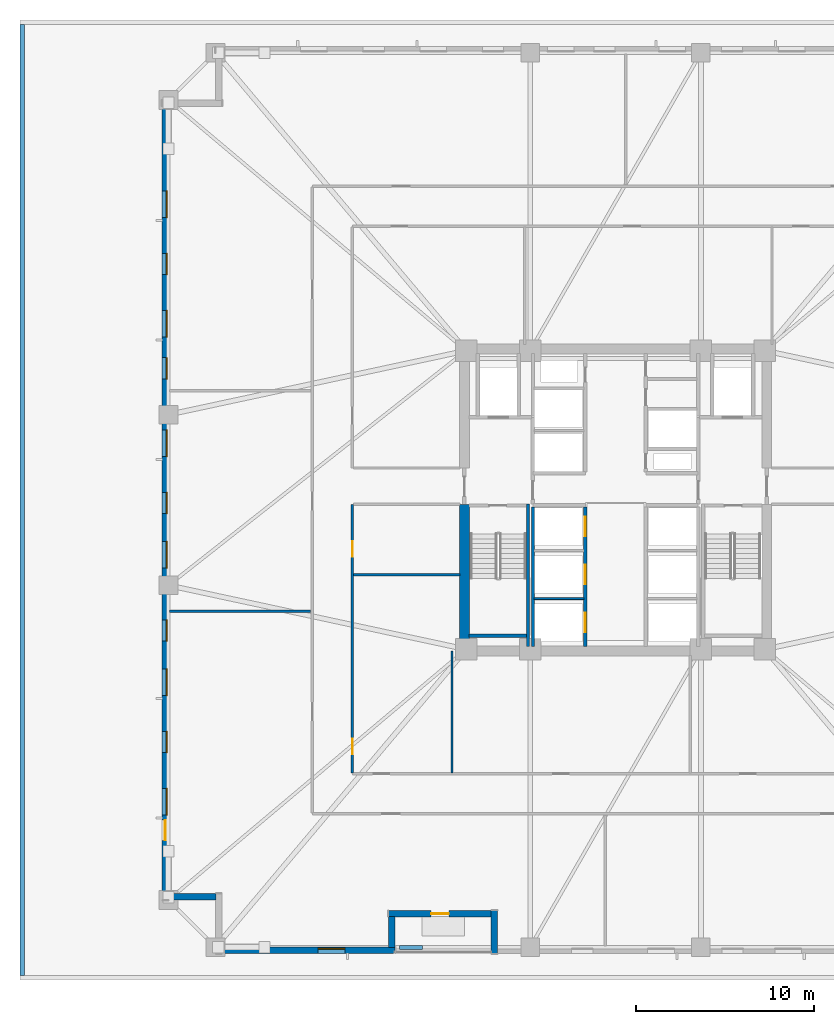
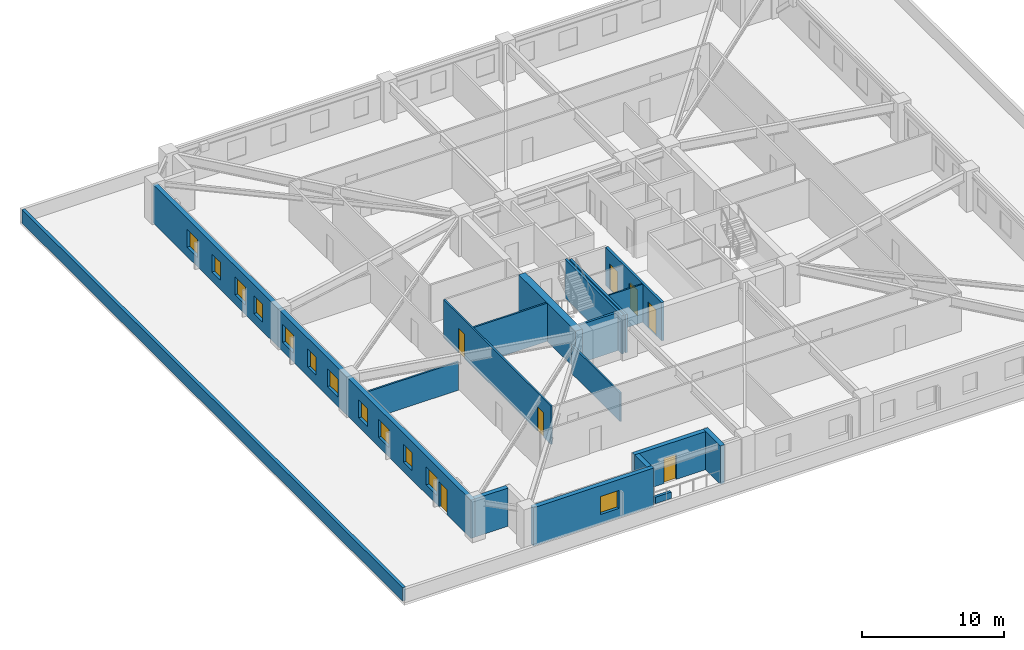
# One storey, part 2 of 12: 18 walls, 12 windows, 7 doors, 19 openings.
"""IFC4 building model written with IfcOpenShell, lengths in metres."""

from ifc_helpers import new_model, si_unit, direction, frame, frame_2d, origin, place, context, subcontext, project, spatial, rectangle, extrude, material, layer, layer_set, type_object, element, fill, save


model = new_model("IFC4")

# Units and contexts
model_context = context("Model", 3, precision=1e-05, world=origin(), true_north=direction((0.0, 1.0)))
body_context = subcontext(model_context, "Body", "Model", "MODEL_VIEW")
ifc_project = project(units=[si_unit("LENGTHUNIT", "METRE"), si_unit("AREAUNIT", "SQUARE_METRE"), si_unit("VOLUMEUNIT", "CUBIC_METRE"), si_unit("PLANEANGLEUNIT", "RADIAN"), si_unit("MASSUNIT", "GRAM", prefix="KILO")], contexts=[model_context])

# Site, building, storey
site_placement = place(None, origin())
site = spatial("IfcSite", under=ifc_project, at=site_placement, CompositionType="ELEMENT")
building_placement = place(site_placement, origin())
building = spatial("IfcBuilding", under=site, at=building_placement, Name="Cairnveth Concourse Tower", CompositionType="ELEMENT")
storey_placement = place(building_placement, frame((0.0, 0.0, 23.5)))
storey = spatial("IfcBuildingStorey", under=building, at=storey_placement, Name="L05", CompositionType="ELEMENT", Elevation=23.5)

# Walls
ifc_material_1 = material(Name="Concrete N80 (80 MPa)", Category="concrete")
ifc_layer_1 = layer(ifc_material_1, 0.550048828125)
ifc_layer_set_1 = layer_set([ifc_layer_1], Name="Concrete N80 (80 MPa)")
wall_type_1 = type_object("IfcWallType", Name="CORE SHEAR WALL 550", PredefinedType="SHEAR", material=ifc_layer_set_1)
wall_1_placement = place(storey_placement, frame((43.5, 30.764892578125, 0.0), z_axis=(0.0, 0.0, 1.0), x_axis=(0.0, 1.0, 0.0)))
element("IfcWall", 1, at=wall_1_placement, inside=storey, type_object=wall_type_1, Name="Core West Shear Wall S L05", PredefinedType="SHEAR", context=body_context, shape_type="SweptSolid", body=[
    extrude(rectangle(XDim=7.985107421875, YDim=0.550048828125, at=frame_2d((3.99267578125, 0.0))), origin(), (0.0, 0.0, 1.0), 3.280029296875),
])
ifc_material_2 = material(Name="Concrete N50 (50 MPa)", Category="concrete")
ifc_layer_2 = layer(ifc_material_2, 0.179931640625)
ifc_layer_set_2 = layer_set([ifc_layer_2], Name="Concrete N50 (50 MPa)")
wall_type_2 = type_object("IfcWallType", Name="FIRE SHAFT WALL 180", PredefinedType="SOLIDWALL", material=ifc_layer_set_2)
wall_2_placement = place(storey_placement, frame((47.35009765625, 30.760009765625, 0.0), z_axis=(0.0, 0.0, 1.0), x_axis=(0.0, 1.0, 0.0)))
element("IfcWall", 2, at=wall_2_placement, inside=storey, type_object=wall_type_2, Name="Interior Wall IW-L05-025", PredefinedType="SOLIDWALL", context=body_context, shape_type="SweptSolid", body=[
    extrude(rectangle(XDim=7.85498046875, YDim=0.179931640625, at=frame_2d((3.927490234375, 0.0))), origin(), (0.0, 0.0, 1.0), 3.280029296875),
])
wall_3_placement = place(storey_placement, frame((43.764892578125, 31.360107421875, 0.0), z_axis=(0.0, 0.0, 1.0), x_axis=(1.0, 0.0, 0.0)))
element("IfcWall", 3, at=wall_3_placement, inside=storey, type_object=wall_type_2, Name="Stair ST-1 Shaft Wall FAR L05", PredefinedType="SOLIDWALL", context=body_context, shape_type="SweptSolid", body=[
    extrude(rectangle(XDim=3.230224609375, YDim=0.179931640625, at=frame_2d((1.615234375, 0.0))), origin(), (0.0, 0.0, 1.0), 3.280029296875),
])
wall_4_placement = place(storey_placement, frame((47.070068359375, 38.780029296875, 0.0), z_axis=(0.0, 0.0, 1.0), x_axis=(0.0, -1.0, 0.0)))
element("IfcWall", 4, at=wall_4_placement, inside=storey, type_object=wall_type_2, Name="Stair ST-1 Shaft Wall RGHT L05", PredefinedType="SOLIDWALL", context=body_context, shape_type="SweptSolid", body=[
    extrude(rectangle(XDim=8.01708984375, YDim=0.179931640625, at=frame_2d((4.008544921875, 0.0))), origin(), (0.0, 0.0, 1.0), 3.280029296875),
])

# Wall, openings, doors
ifc_layer_3 = layer(ifc_material_2, 0.199951171875)
ifc_layer_set_3 = layer_set([ifc_layer_3], Name="Concrete N50 (50 MPa)")
wall_type_3 = type_object("IfcWallType", Name="FIRE SHAFT WALL 200", PredefinedType="SOLIDWALL", material=ifc_layer_set_3)
wall_5_placement = place(storey_placement, frame((50.300048828125, 30.760009765625, 0.0), z_axis=(0.0, 0.0, 1.0), x_axis=(0.0, 1.0, 0.0)))
wall_5 = element("IfcWall", 5, at=wall_5_placement, inside=storey, type_object=wall_type_3, Name="Interior Wall IW-L05-011", PredefinedType="SOLIDWALL", context=body_context, shape_type="SweptSolid", body=[
    extrude(rectangle(XDim=7.85498046875, YDim=0.199951171875, at=frame_2d((3.927490234375, 0.0))), origin(), (0.0, 0.0, 1.0), 3.280029296875),
])
opening_1_placement = place(wall_5_placement, frame((0.7900390625, 0.0, 0.0)))
opening_1 = element("IfcOpeningElement", 6, at=opening_1_placement, cuts=wall_5, Name="Opening LD-1", PredefinedType="OPENING", context=body_context, shape_type="SweptSolid", body=[
    extrude(rectangle(XDim=1.10009765625, YDim=2.199951171875, at=frame_2d((0.550048828125, 1.10009765625))), frame((0.0, 0.10986328125, 0.0), z_axis=(0.0, -1.0, 0.0), x_axis=(1.0, 0.0, 0.0)), (0.0, 0.0, 1.0), 0.219970703125),
])
opening_2_placement = place(wall_5_placement, frame((3.489990234375, 0.0, 0.0)))
opening_2 = element("IfcOpeningElement", 7, at=opening_2_placement, cuts=wall_5, Name="Opening LD-1", PredefinedType="OPENING", context=body_context, shape_type="SweptSolid", body=[
    extrude(rectangle(XDim=1.10009765625, YDim=2.199951171875, at=frame_2d((0.550048828125, 1.10009765625))), frame((0.0, 0.10986328125, 0.0), z_axis=(0.0, -1.0, 0.0), x_axis=(1.0, 0.0, 0.0)), (0.0, 0.0, 1.0), 0.219970703125),
])
opening_3_placement = place(wall_5_placement, frame((6.18994140625, 0.0, 0.0)))
opening_3 = element("IfcOpeningElement", 8, at=opening_3_placement, cuts=wall_5, Name="Opening LD-1", PredefinedType="OPENING", context=body_context, shape_type="SweptSolid", body=[
    extrude(rectangle(XDim=1.10009765625, YDim=2.199951171875, at=frame_2d((0.550048828125, 1.10009765625))), frame((0.0, 0.10986328125, 0.0), z_axis=(0.0, -1.0, 0.0), x_axis=(1.0, 0.0, 0.0)), (0.0, 0.0, 1.0), 0.219970703125),
])
ifc_material_3 = material(Name="Architectural Bronze Anodised Aluminium 6063-T6", Category="aluminium")
door_type_1 = type_object("IfcDoorType", Name="LIFT LANDING DOOR 1100X2200", OperationType="SLIDING_TO_LEFT", PredefinedType="DOOR", material=ifc_material_3)
door_1_placement = place(opening_1_placement, origin())
door_1 = element("IfcDoor", 9, at=door_1_placement, inside=storey, type_object=door_type_1, Name="Lift PL1 Landing Door L05", OperationType="SLIDING_TO_LEFT", OverallHeight=2.199951171875, OverallWidth=1.10009765625, PredefinedType="DOOR", context=body_context, shape_type="SweptSolid", body=[
    extrude(rectangle(XDim=1.10009765625, YDim=2.199951171875, at=frame_2d((0.550048828125, 1.10009765625))), frame((0.0, 0.02490234375, 0.0), z_axis=(0.0, -1.0, 0.0), x_axis=(1.0, 0.0, 0.0)), (0.0, 0.0, 1.0), 0.050048828125),
])
fill(opening_1, door_1)
door_2_placement = place(opening_2_placement, origin())
door_2 = element("IfcDoor", 10, at=door_2_placement, inside=storey, type_object=door_type_1, Name="Lift PL2 Landing Door L05", OperationType="SLIDING_TO_LEFT", OverallHeight=2.199951171875, OverallWidth=1.10009765625, PredefinedType="DOOR", context=body_context, shape_type="SweptSolid", body=[
    extrude(rectangle(XDim=1.10009765625, YDim=2.199951171875, at=frame_2d((0.550048828125, 1.10009765625))), frame((0.0, 0.02490234375, 0.0), z_axis=(0.0, -1.0, 0.0), x_axis=(1.0, 0.0, 0.0)), (0.0, 0.0, 1.0), 0.050048828125),
])
fill(opening_2, door_2)
door_3_placement = place(opening_3_placement, origin())
door_3 = element("IfcDoor", 11, at=door_3_placement, inside=storey, type_object=door_type_1, Name="Lift PL3 Landing Door L05", OperationType="SLIDING_TO_LEFT", OverallHeight=2.199951171875, OverallWidth=1.10009765625, PredefinedType="DOOR", context=body_context, shape_type="SweptSolid", body=[
    extrude(rectangle(XDim=1.10009765625, YDim=2.199951171875, at=frame_2d((0.550048828125, 1.10009765625))), frame((0.0, 0.02490234375, 0.0), z_axis=(0.0, -1.0, 0.0), x_axis=(1.0, 0.0, 0.0)), (0.0, 0.0, 1.0), 0.050048828125),
])
fill(opening_3, door_3)

ifc_material_4 = material(Name="Gypsum Plasterboard Partition", Category="gypsum")
ifc_layer_4 = layer(ifc_material_4, 0.139892578125)
ifc_layer_set_4 = layer_set([ifc_layer_4], Name="Gypsum Plasterboard Partition")
wall_type_4 = type_object("IfcWallType", Name="GYPSUM STUD PARTITION 140", PredefinedType="PARTITIONING", material=ifc_layer_set_4)
wall_6_placement = place(storey_placement, frame((37.199951171875, 23.655029296875, 0.0), z_axis=(0.0, 0.0, 1.0), x_axis=(0.0, 1.0, 0.0)))
wall_6 = element("IfcWall", 12, at=wall_6_placement, inside=storey, type_object=wall_type_4, Name="Interior Wall IW-L05-044", PredefinedType="PARTITIONING", context=body_context, shape_type="SweptSolid", body=[
    extrude(rectangle(XDim=15.094970703125, YDim=0.139892578125, at=frame_2d((7.54736328125, 0.0))), origin(), (0.0, 0.0, 1.0), 3.280029296875),
])
opening_4_placement = place(wall_6_placement, frame((1.044921875, 0.0, 0.0)))
opening_4 = element("IfcOpeningElement", 13, at=opening_4_placement, cuts=wall_6, Name="Opening ID18", PredefinedType="OPENING", context=body_context, shape_type="SweptSolid", body=[
    extrude(rectangle(XDim=0.8798828125, YDim=2.10009765625, at=frame_2d((0.43994140625, 1.050048828125))), frame((0.0, 0.079833984375, 0.0), z_axis=(0.0, -1.0, 0.0), x_axis=(1.0, 0.0, 0.0)), (0.0, 0.0, 1.0), 0.159912109375),
])
opening_5_placement = place(wall_6_placement, frame((12.14501953125, 0.0, 0.0)))
opening_5 = element("IfcOpeningElement", 14, at=opening_5_placement, cuts=wall_6, Name="Opening ID18", PredefinedType="OPENING", context=body_context, shape_type="SweptSolid", body=[
    extrude(rectangle(XDim=0.8798828125, YDim=2.10009765625, at=frame_2d((0.43994140625, 1.050048828125))), frame((0.0, 0.079833984375, 0.0), z_axis=(0.0, -1.0, 0.0), x_axis=(1.0, 0.0, 0.0)), (0.0, 0.0, 1.0), 0.159912109375),
])
ifc_material_5 = material(Name="Solid Core Hardwood Timber Leaf", Category="wood")
door_type_2 = type_object("IfcDoorType", Name="INTERIOR SINGLE DOOR 880X2100", OperationType="NOTDEFINED", PredefinedType="DOOR", material=ifc_material_5)
door_4_placement = place(opening_4_placement, origin())
door_4 = element("IfcDoor", 15, at=door_4_placement, inside=storey, type_object=door_type_2, Name="Interior Door DR-L05-020", OperationType="SINGLE_SWING_RIGHT", OverallHeight=2.10009765625, OverallWidth=0.8798828125, PredefinedType="DOOR", context=body_context, shape_type="SweptSolid", body=[
    extrude(rectangle(XDim=0.8798828125, YDim=2.10009765625, at=frame_2d((0.43994140625, 1.050048828125))), frame((0.0, 0.02490234375, 0.0), z_axis=(0.0, -1.0, 0.0), x_axis=(1.0, 0.0, 0.0)), (0.0, 0.0, 1.0), 0.050048828125),
])
fill(opening_4, door_4)
door_5_placement = place(opening_5_placement, origin())
door_5 = element("IfcDoor", 16, at=door_5_placement, inside=storey, type_object=door_type_2, Name="Interior Door DR-L05-021", OperationType="SINGLE_SWING_LEFT", OverallHeight=2.10009765625, OverallWidth=0.8798828125, PredefinedType="DOOR", context=body_context, shape_type="SweptSolid", body=[
    extrude(rectangle(XDim=0.8798828125, YDim=2.10009765625, at=frame_2d((0.43994140625, 1.050048828125))), frame((0.0, 0.02490234375, 0.0), z_axis=(0.0, -1.0, 0.0), x_axis=(1.0, 0.0, 0.0)), (0.0, 0.0, 1.0), 0.050048828125),
])
fill(opening_5, door_5)

# Walls
wall_7_placement = place(storey_placement, frame((42.800048828125, 23.655029296875, 0.0), z_axis=(0.0, 0.0, 1.0), x_axis=(0.0, 1.0, 0.0)))
element("IfcWall", 17, at=wall_7_placement, inside=storey, type_object=wall_type_4, Name="Interior Wall IW-L05-052", PredefinedType="PARTITIONING", context=body_context, shape_type="SweptSolid", body=[
    extrude(rectangle(XDim=6.844970703125, YDim=0.139892578125, at=frame_2d((3.42236328125, 0.0))), origin(), (0.0, 0.0, 1.0), 2.43896484375),
])
wall_8_placement = place(storey_placement, frame((37.2548828125, 34.800048828125, 0.0), z_axis=(0.0, 0.0, 1.0), x_axis=(1.0, 0.0, 0.0)))
element("IfcWall", 18, at=wall_8_placement, inside=storey, type_object=wall_type_4, Name="Interior Wall IW-L05-056", PredefinedType="PARTITIONING", context=body_context, shape_type="SweptSolid", body=[
    extrude(rectangle(XDim=5.985107421875, YDim=0.139892578125, at=frame_2d((2.99267578125, 0.0))), origin(), (0.0, 0.0, 1.0), 3.280029296875),
])
wall_9_placement = place(storey_placement, frame((26.919921875, 32.740478515625, 0.0), z_axis=(0.0, 0.0, 1.0), x_axis=(1.0, 0.0, 0.0)))
element("IfcWall", 19, at=wall_9_placement, inside=storey, type_object=wall_type_4, Name="Interior Wall IW-L05-059", PredefinedType="PARTITIONING", context=body_context, shape_type="SweptSolid", body=[
    extrude(rectangle(XDim=7.93017578125, YDim=0.139892578125, at=frame_2d((3.965087890625, 0.0))), origin(), (0.0, 0.0, 1.0), 2.43896484375),
])
ifc_material_6 = material(Name="Hawthorn Red-Ochre Fired Clay Brick Masonry", Category="masonry")
ifc_layer_5 = layer(ifc_material_6, 0.25)
ifc_layer_set_5 = layer_set([ifc_layer_5], Name="Hawthorn Red-Ochre Fired Clay Brick Masonry")
wall_type_5 = type_object("IfcWallType", Name="ROOF MASONRY PARAPET WALL 250", PredefinedType="PARAPET", material=ifc_layer_set_5)
wall_10_placement = place(storey_placement, frame((18.6298828125, 12.25, 0.0), z_axis=(0.0, 0.0, 1.0), x_axis=(0.0, 1.0, 0.0)))
element("IfcWall", 20, at=wall_10_placement, inside=storey, type_object=wall_type_5, Name="Exterior Wall EP-L05-POD-W", PredefinedType="PARAPET", context=body_context, shape_type="SweptSolid", body=[
    extrude(rectangle(XDim=53.5, YDim=0.25, at=frame_2d((26.75, 0.0))), origin(), (0.0, 0.0, 1.0), 1.14990234375),
])
ifc_layer_6 = layer(ifc_material_4, 0.110107421875)
ifc_layer_set_6 = layer_set([ifc_layer_6], Name="Gypsum Plasterboard Partition")
wall_type_6 = type_object("IfcWallType", Name="SHAFT DIVIDER WALL 140", PredefinedType="PARTITIONING", material=ifc_layer_set_6)
wall_11_placement = place(storey_placement, frame((47.425048828125, 33.449951171875, 0.0), z_axis=(0.0, 0.0, 1.0), x_axis=(1.0, 0.0, 0.0)))
element("IfcWall", 21, at=wall_11_placement, inside=storey, type_object=wall_type_6, Name="Interior Wall IW-L05-026", PredefinedType="PARTITIONING", context=body_context, shape_type="SweptSolid", body=[
    extrude(rectangle(XDim=2.7900390625, YDim=0.110107421875, at=frame_2d((1.39501953125, 0.0))), origin(), (0.0, 0.0, 1.0), 3.280029296875),
])
ifc_material_7 = material(Name="Dressed Melbourne Bluestone Cladding", Category="masonry")
ifc_layer_7 = layer(ifc_material_7, 0.219970703125)
ifc_layer_set_7 = layer_set([ifc_layer_7], Name="Dressed Melbourne Bluestone Cladding")
wall_type_7 = type_object("IfcWallType", Name="TERRACE PLANTER CURB WALL 220", PredefinedType="PARAPET", material=ifc_layer_set_7)
wall_12_placement = place(storey_placement, frame((39.85009765625, 13.820068359375, 0.0), z_axis=(0.0, 0.0, 1.0), x_axis=(1.0, 0.0, 0.0)))
element("IfcWall", 22, at=wall_12_placement, inside=storey, type_object=wall_type_7, Name="Exterior Wall PLNT-L05-TERR", PredefinedType="PARAPET", context=body_context, shape_type="SweptSolid", body=[
    extrude(rectangle(XDim=1.2998046875, YDim=0.219970703125, at=frame_2d((0.64990234375, 0.0))), origin(), (0.0, 0.0, 1.0), 0.550048828125),
])

# Wall, opening, window
ifc_layer_8 = layer(ifc_material_6, 0.360107421875)
ifc_layer_set_8 = layer_set([ifc_layer_8], Name="Hawthorn Red-Ochre Fired Clay Brick Masonry")
wall_type_8 = type_object("IfcWallType", Name="ZONE 1 BRICK PIER SPANDREL WALL 360", PredefinedType="SOLIDWALL", material=ifc_layer_set_8)
wall_13_placement = place(storey_placement, frame((39.60009765625, 13.679931640625, 0.0), z_axis=(0.0, 0.0, 1.0), x_axis=(-1.0, 0.0, 0.0)))
wall_13 = element("IfcWall", 23, at=wall_13_placement, inside=storey, type_object=wall_type_8, Name="Exterior Wall EW-L05-S00", PredefinedType="SOLIDWALL", context=body_context, shape_type="SweptSolid", body=[
    extrude(rectangle(XDim=9.76220703125, YDim=0.360107421875, at=frame_2d((4.881103515625, 0.0))), origin(), (0.0, 0.0, 1.0), 3.280029296875),
])
opening_6_placement = place(wall_13_placement, frame((2.8310546875, 0.0, 0.800048828125)))
opening_6 = element("IfcOpeningElement", 24, at=opening_6_placement, cuts=wall_13, Name="Opening W03", PredefinedType="OPENING", context=body_context, shape_type="SweptSolid", body=[
    extrude(rectangle(XDim=1.5, YDim=1.5439453125, at=frame_2d((0.75, 0.77197265625))), frame((0.0, 0.18994140625, 0.0), z_axis=(0.0, -1.0, 0.0), x_axis=(1.0, 0.0, 0.0)), (0.0, 0.0, 1.0), 0.380126953125),
])
ifc_material_8 = material(Name="Double Glazed Low-E Clear Glass", Category="glass")
window_type_1 = type_object("IfcWindowType", Name="DEEP-SET GOTHIC LANCET WINDOW 1500X1800", PartitioningType="DOUBLE_PANEL_VERTICAL", PredefinedType="WINDOW", material=ifc_material_8)
window_1_placement = place(opening_6_placement, origin())
window_1 = element("IfcWindow", 25, at=window_1_placement, inside=storey, type_object=window_type_1, Name="Gothic Lancet Window L05-0-1", OverallHeight=1.5439453125, OverallWidth=1.5, PartitioningType="SINGLE_PANEL", PredefinedType="WINDOW", context=body_context, shape_type="SweptSolid", body=[
    extrude(rectangle(XDim=1.5, YDim=1.5439453125, at=frame_2d((0.75, 0.77197265625))), frame((0.0, -0.050048828125, 0.0), z_axis=(0.0, -1.0, 0.0), x_axis=(1.0, 0.0, 0.0)), (0.0, 0.0, 1.0), 0.06005859375),
])
fill(opening_6, window_1)

# Wall
wall_14_placement = place(storey_placement, frame((29.52197265625, 16.679931640625, 0.0), z_axis=(0.0, 0.0, 1.0), x_axis=(-1.0, 0.0, 0.0)))
element("IfcWall", 26, at=wall_14_placement, inside=storey, type_object=wall_type_8, Name="Exterior Wall EW-L05-S02", PredefinedType="SOLIDWALL", context=body_context, shape_type="SweptSolid", body=[
    extrude(rectangle(XDim=2.68408203125, YDim=0.360107421875, at=frame_2d((1.342041015625, 0.0))), origin(), (0.0, 0.0, 1.0), 3.280029296875),
])

# Wall, openings, windows, door
wall_15_placement = place(storey_placement, frame((26.679931640625, 16.5, 0.0), z_axis=(0.0, 0.0, 1.0), x_axis=(0.0, 1.0, 0.0)))
wall_15 = element("IfcWall", 27, at=wall_15_placement, inside=storey, type_object=wall_type_8, Name="Exterior Wall EW-L05-S03", PredefinedType="SOLIDWALL", context=body_context, shape_type="SweptSolid", body=[
    extrude(rectangle(XDim=44.662109375, YDim=0.360107421875, at=frame_2d((22.3310546875, 0.0))), origin(), (0.0, 0.0, 1.0), 3.280029296875),
])
opening_7_placement = place(wall_15_placement, frame((4.780029296875, 0.0, 0.800048828125)))
opening_7 = element("IfcOpeningElement", 28, at=opening_7_placement, cuts=wall_15, Name="Opening W03", PredefinedType="OPENING", context=body_context, shape_type="SweptSolid", body=[
    extrude(rectangle(XDim=1.5, YDim=1.5439453125, at=frame_2d((0.75, 0.77197265625))), frame((0.0, 0.18994140625, 0.0), z_axis=(0.0, -1.0, 0.0), x_axis=(1.0, 0.0, 0.0)), (0.0, 0.0, 1.0), 0.380126953125),
])
opening_8_placement = place(wall_15_placement, frame((8.290283203125, 0.0, 0.800048828125)))
opening_8 = element("IfcOpeningElement", 29, at=opening_8_placement, cuts=wall_15, Name="Opening W01", PredefinedType="OPENING", context=body_context, shape_type="SweptSolid", body=[
    extrude(rectangle(XDim=1.199951171875, YDim=1.5439453125, at=frame_2d((0.60009765625, 0.77197265625))), frame((0.0, 0.18994140625, 0.0), z_axis=(0.0, -1.0, 0.0), x_axis=(1.0, 0.0, 0.0)), (0.0, 0.0, 1.0), 0.380126953125),
])
opening_9_placement = place(wall_15_placement, frame((11.50048828125, 0.0, 0.800048828125)))
opening_9 = element("IfcOpeningElement", 30, at=opening_9_placement, cuts=wall_15, Name="Opening W03", PredefinedType="OPENING", context=body_context, shape_type="SweptSolid", body=[
    extrude(rectangle(XDim=1.5, YDim=1.5439453125, at=frame_2d((0.75, 0.77197265625))), frame((0.0, 0.18994140625, 0.0), z_axis=(0.0, -1.0, 0.0), x_axis=(1.0, 0.0, 0.0)), (0.0, 0.0, 1.0), 0.380126953125),
])
opening_10_placement = place(wall_15_placement, frame((14.560546875, 0.0, 0.800048828125)))
opening_10 = element("IfcOpeningElement", 31, at=opening_10_placement, cuts=wall_15, Name="Opening W01", PredefinedType="OPENING", context=body_context, shape_type="SweptSolid", body=[
    extrude(rectangle(XDim=1.199951171875, YDim=1.5439453125, at=frame_2d((0.60009765625, 0.77197265625))), frame((0.0, 0.18994140625, 0.0), z_axis=(0.0, -1.0, 0.0), x_axis=(1.0, 0.0, 0.0)), (0.0, 0.0, 1.0), 0.380126953125),
])
opening_11_placement = place(wall_15_placement, frame((18.6708984375, 0.0, 0.800048828125)))
opening_11 = element("IfcOpeningElement", 32, at=opening_11_placement, cuts=wall_15, Name="Opening W03", PredefinedType="OPENING", context=body_context, shape_type="SweptSolid", body=[
    extrude(rectangle(XDim=1.5, YDim=1.5439453125, at=frame_2d((0.75, 0.77197265625))), frame((0.0, 0.18994140625, 0.0), z_axis=(0.0, -1.0, 0.0), x_axis=(1.0, 0.0, 0.0)), (0.0, 0.0, 1.0), 0.380126953125),
])
opening_12_placement = place(wall_15_placement, frame((21.73095703125, 0.0, 0.800048828125)))
opening_12 = element("IfcOpeningElement", 33, at=opening_12_placement, cuts=wall_15, Name="Opening W01", PredefinedType="OPENING", context=body_context, shape_type="SweptSolid", body=[
    extrude(rectangle(XDim=1.199951171875, YDim=1.5439453125, at=frame_2d((0.60009765625, 0.77197265625))), frame((0.0, 0.18994140625, 0.0), z_axis=(0.0, -1.0, 0.0), x_axis=(1.0, 0.0, 0.0)), (0.0, 0.0, 1.0), 0.380126953125),
])
opening_13_placement = place(wall_15_placement, frame((24.941162109375, 0.0, 0.800048828125)))
opening_13 = element("IfcOpeningElement", 34, at=opening_13_placement, cuts=wall_15, Name="Opening W03", PredefinedType="OPENING", context=body_context, shape_type="SweptSolid", body=[
    extrude(rectangle(XDim=1.5, YDim=1.5439453125, at=frame_2d((0.75, 0.77197265625))), frame((0.0, 0.18994140625, 0.0), z_axis=(0.0, -1.0, 0.0), x_axis=(1.0, 0.0, 0.0)), (0.0, 0.0, 1.0), 0.380126953125),
])
opening_14_placement = place(wall_15_placement, frame((29.301513671875, 0.0, 0.800048828125)))
opening_14 = element("IfcOpeningElement", 35, at=opening_14_placement, cuts=wall_15, Name="Opening W01", PredefinedType="OPENING", context=body_context, shape_type="SweptSolid", body=[
    extrude(rectangle(XDim=1.199951171875, YDim=1.5439453125, at=frame_2d((0.60009765625, 0.77197265625))), frame((0.0, 0.18994140625, 0.0), z_axis=(0.0, -1.0, 0.0), x_axis=(1.0, 0.0, 0.0)), (0.0, 0.0, 1.0), 0.380126953125),
])
opening_15_placement = place(wall_15_placement, frame((31.66162109375, 0.0, 0.800048828125)))
opening_15 = element("IfcOpeningElement", 36, at=opening_15_placement, cuts=wall_15, Name="Opening W03", PredefinedType="OPENING", context=body_context, shape_type="SweptSolid", body=[
    extrude(rectangle(XDim=1.5, YDim=1.5439453125, at=frame_2d((0.75, 0.77197265625))), frame((0.0, 0.18994140625, 0.0), z_axis=(0.0, -1.0, 0.0), x_axis=(1.0, 0.0, 0.0)), (0.0, 0.0, 1.0), 0.380126953125),
])
opening_16_placement = place(wall_15_placement, frame((35.171630859375, 0.0, 0.800048828125)))
opening_16 = element("IfcOpeningElement", 37, at=opening_16_placement, cuts=wall_15, Name="Opening W01", PredefinedType="OPENING", context=body_context, shape_type="SweptSolid", body=[
    extrude(rectangle(XDim=1.199951171875, YDim=1.5439453125, at=frame_2d((0.60009765625, 0.77197265625))), frame((0.0, 0.18994140625, 0.0), z_axis=(0.0, -1.0, 0.0), x_axis=(1.0, 0.0, 0.0)), (0.0, 0.0, 1.0), 0.380126953125),
])
opening_17_placement = place(wall_15_placement, frame((38.3818359375, 0.0, 0.800048828125)))
opening_17 = element("IfcOpeningElement", 38, at=opening_17_placement, cuts=wall_15, Name="Opening W03", PredefinedType="OPENING", context=body_context, shape_type="SweptSolid", body=[
    extrude(rectangle(XDim=1.5, YDim=1.5439453125, at=frame_2d((0.75, 0.77197265625))), frame((0.0, 0.18994140625, 0.0), z_axis=(0.0, -1.0, 0.0), x_axis=(1.0, 0.0, 0.0)), (0.0, 0.0, 1.0), 0.380126953125),
])
opening_18_placement = place(wall_15_placement, frame((3.35009765625, 0.0, 0.0)))
opening_18 = element("IfcOpeningElement", 39, at=opening_18_placement, cuts=wall_15, Name="Opening ED3", PredefinedType="OPENING", context=body_context, shape_type="SweptSolid", body=[
    extrude(rectangle(XDim=1.14990234375, YDim=2.14990234375, at=frame_2d((0.574951171875, 1.074951171875))), frame((0.0, 0.18994140625, 0.0), z_axis=(0.0, -1.0, 0.0), x_axis=(1.0, 0.0, 0.0)), (0.0, 0.0, 1.0), 0.380126953125),
])
window_type_2 = type_object("IfcWindowType", Name="DEEP-SET GOTHIC LANCET WINDOW 1200X1800", PartitioningType="DOUBLE_PANEL_VERTICAL", PredefinedType="WINDOW", material=ifc_material_8)
window_2_placement = place(opening_8_placement, origin())
window_2 = element("IfcWindow", 40, at=window_2_placement, inside=storey, type_object=window_type_2, Name="Gothic Lancet Window L05-3-2", OverallHeight=1.5439453125, OverallWidth=1.199951171875, PartitioningType="SINGLE_PANEL", PredefinedType="WINDOW", context=body_context, shape_type="SweptSolid", body=[
    extrude(rectangle(XDim=1.199951171875, YDim=1.5439453125, at=frame_2d((0.60009765625, 0.77197265625))), frame((0.0, -0.050048828125, 0.0), z_axis=(0.0, -1.0, 0.0), x_axis=(1.0, 0.0, 0.0)), (0.0, 0.0, 1.0), 0.06005859375),
])
fill(opening_8, window_2)
window_3_placement = place(opening_10_placement, origin())
window_3 = element("IfcWindow", 41, at=window_3_placement, inside=storey, type_object=window_type_2, Name="Gothic Lancet Window L05-3-4", OverallHeight=1.5439453125, OverallWidth=1.199951171875, PartitioningType="SINGLE_PANEL", PredefinedType="WINDOW", context=body_context, shape_type="SweptSolid", body=[
    extrude(rectangle(XDim=1.199951171875, YDim=1.5439453125, at=frame_2d((0.60009765625, 0.77197265625))), frame((0.0, -0.050048828125, 0.0), z_axis=(0.0, -1.0, 0.0), x_axis=(1.0, 0.0, 0.0)), (0.0, 0.0, 1.0), 0.06005859375),
])
fill(opening_10, window_3)
window_4_placement = place(opening_12_placement, origin())
window_4 = element("IfcWindow", 42, at=window_4_placement, inside=storey, type_object=window_type_2, Name="Gothic Lancet Window L05-3-6", OverallHeight=1.5439453125, OverallWidth=1.199951171875, PartitioningType="SINGLE_PANEL", PredefinedType="WINDOW", context=body_context, shape_type="SweptSolid", body=[
    extrude(rectangle(XDim=1.199951171875, YDim=1.5439453125, at=frame_2d((0.60009765625, 0.77197265625))), frame((0.0, -0.050048828125, 0.0), z_axis=(0.0, -1.0, 0.0), x_axis=(1.0, 0.0, 0.0)), (0.0, 0.0, 1.0), 0.06005859375),
])
fill(opening_12, window_4)
window_5_placement = place(opening_14_placement, origin())
window_5 = element("IfcWindow", 43, at=window_5_placement, inside=storey, type_object=window_type_2, Name="Gothic Lancet Window L05-3-8", OverallHeight=1.5439453125, OverallWidth=1.199951171875, PartitioningType="SINGLE_PANEL", PredefinedType="WINDOW", context=body_context, shape_type="SweptSolid", body=[
    extrude(rectangle(XDim=1.199951171875, YDim=1.5439453125, at=frame_2d((0.60009765625, 0.77197265625))), frame((0.0, -0.050048828125, 0.0), z_axis=(0.0, -1.0, 0.0), x_axis=(1.0, 0.0, 0.0)), (0.0, 0.0, 1.0), 0.06005859375),
])
fill(opening_14, window_5)
window_6_placement = place(opening_16_placement, origin())
window_6 = element("IfcWindow", 44, at=window_6_placement, inside=storey, type_object=window_type_2, Name="Gothic Lancet Window L05-3-10", OverallHeight=1.5439453125, OverallWidth=1.199951171875, PartitioningType="SINGLE_PANEL", PredefinedType="WINDOW", context=body_context, shape_type="SweptSolid", body=[
    extrude(rectangle(XDim=1.199951171875, YDim=1.5439453125, at=frame_2d((0.60009765625, 0.77197265625))), frame((0.0, -0.050048828125, 0.0), z_axis=(0.0, -1.0, 0.0), x_axis=(1.0, 0.0, 0.0)), (0.0, 0.0, 1.0), 0.06005859375),
])
fill(opening_16, window_6)
window_7_placement = place(opening_7_placement, origin())
window_7 = element("IfcWindow", 45, at=window_7_placement, inside=storey, type_object=window_type_1, Name="Gothic Lancet Window L05-3-1", OverallHeight=1.5439453125, OverallWidth=1.5, PartitioningType="SINGLE_PANEL", PredefinedType="WINDOW", context=body_context, shape_type="SweptSolid", body=[
    extrude(rectangle(XDim=1.5, YDim=1.5439453125, at=frame_2d((0.75, 0.77197265625))), frame((0.0, -0.050048828125, 0.0), z_axis=(0.0, -1.0, 0.0), x_axis=(1.0, 0.0, 0.0)), (0.0, 0.0, 1.0), 0.06005859375),
])
fill(opening_7, window_7)
window_8_placement = place(opening_9_placement, origin())
window_8 = element("IfcWindow", 46, at=window_8_placement, inside=storey, type_object=window_type_1, Name="Gothic Lancet Window L05-3-3", OverallHeight=1.5439453125, OverallWidth=1.5, PartitioningType="SINGLE_PANEL", PredefinedType="WINDOW", context=body_context, shape_type="SweptSolid", body=[
    extrude(rectangle(XDim=1.5, YDim=1.5439453125, at=frame_2d((0.75, 0.77197265625))), frame((0.0, -0.050048828125, 0.0), z_axis=(0.0, -1.0, 0.0), x_axis=(1.0, 0.0, 0.0)), (0.0, 0.0, 1.0), 0.06005859375),
])
fill(opening_9, window_8)
window_9_placement = place(opening_11_placement, origin())
window_9 = element("IfcWindow", 47, at=window_9_placement, inside=storey, type_object=window_type_1, Name="Gothic Lancet Window L05-3-5", OverallHeight=1.5439453125, OverallWidth=1.5, PartitioningType="SINGLE_PANEL", PredefinedType="WINDOW", context=body_context, shape_type="SweptSolid", body=[
    extrude(rectangle(XDim=1.5, YDim=1.5439453125, at=frame_2d((0.75, 0.77197265625))), frame((0.0, -0.050048828125, 0.0), z_axis=(0.0, -1.0, 0.0), x_axis=(1.0, 0.0, 0.0)), (0.0, 0.0, 1.0), 0.06005859375),
])
fill(opening_11, window_9)
window_10_placement = place(opening_13_placement, origin())
window_10 = element("IfcWindow", 48, at=window_10_placement, inside=storey, type_object=window_type_1, Name="Gothic Lancet Window L05-3-7", OverallHeight=1.5439453125, OverallWidth=1.5, PartitioningType="SINGLE_PANEL", PredefinedType="WINDOW", context=body_context, shape_type="SweptSolid", body=[
    extrude(rectangle(XDim=1.5, YDim=1.5439453125, at=frame_2d((0.75, 0.77197265625))), frame((0.0, -0.050048828125, 0.0), z_axis=(0.0, -1.0, 0.0), x_axis=(1.0, 0.0, 0.0)), (0.0, 0.0, 1.0), 0.06005859375),
])
fill(opening_13, window_10)
window_11_placement = place(opening_15_placement, origin())
window_11 = element("IfcWindow", 49, at=window_11_placement, inside=storey, type_object=window_type_1, Name="Gothic Lancet Window L05-3-9", OverallHeight=1.5439453125, OverallWidth=1.5, PartitioningType="SINGLE_PANEL", PredefinedType="WINDOW", context=body_context, shape_type="SweptSolid", body=[
    extrude(rectangle(XDim=1.5, YDim=1.5439453125, at=frame_2d((0.75, 0.77197265625))), frame((0.0, -0.050048828125, 0.0), z_axis=(0.0, -1.0, 0.0), x_axis=(1.0, 0.0, 0.0)), (0.0, 0.0, 1.0), 0.06005859375),
])
fill(opening_15, window_11)
window_12_placement = place(opening_17_placement, origin())
window_12 = element("IfcWindow", 50, at=window_12_placement, inside=storey, type_object=window_type_1, Name="Gothic Lancet Window L05-3-11", OverallHeight=1.5439453125, OverallWidth=1.5, PartitioningType="SINGLE_PANEL", PredefinedType="WINDOW", context=body_context, shape_type="SweptSolid", body=[
    extrude(rectangle(XDim=1.5, YDim=1.5439453125, at=frame_2d((0.75, 0.77197265625))), frame((0.0, -0.050048828125, 0.0), z_axis=(0.0, -1.0, 0.0), x_axis=(1.0, 0.0, 0.0)), (0.0, 0.0, 1.0), 0.06005859375),
])
fill(opening_17, window_12)
door_type_3 = type_object("IfcDoorType", Name="FINAL EXIT DISCHARGE DOOR 1150X2150", OperationType="NOTDEFINED", PredefinedType="DOOR", material=ifc_material_3)
door_6_placement = place(opening_18_placement, origin())
door_6 = element("IfcDoor", 51, at=door_6_placement, inside=storey, type_object=door_type_3, Name="Setback Roof Maintenance Access Door L05", OperationType="SINGLE_SWING_LEFT", OverallHeight=2.14990234375, OverallWidth=1.14990234375, PredefinedType="DOOR", context=body_context, shape_type="SweptSolid", body=[
    extrude(rectangle(XDim=1.14990234375, YDim=2.14990234375, at=frame_2d((0.574951171875, 1.074951171875))), frame((0.0, 0.02490234375, 0.0), z_axis=(0.0, -1.0, 0.0), x_axis=(1.0, 0.0, 0.0)), (0.0, 0.0, 1.0), 0.050048828125),
])
fill(opening_18, door_6)

# Wall
wall_16_placement = place(storey_placement, frame((45.179931640625, 13.5, 0.0), z_axis=(0.0, 0.0, 1.0), x_axis=(0.0, 1.0, 0.0)))
element("IfcWall", 52, at=wall_16_placement, inside=storey, type_object=wall_type_8, Name="Exterior Wall EW-L05-S13", PredefinedType="SOLIDWALL", context=body_context, shape_type="SweptSolid", body=[
    extrude(rectangle(XDim=2.409912109375, YDim=0.360107421875, at=frame_2d((1.205078125, 0.0))), origin(), (0.0, 0.0, 1.0), 3.280029296875),
])

# Wall, opening, door
wall_17_placement = place(storey_placement, frame((45.02197265625, 15.72998046875, 0.0), z_axis=(0.0, 0.0, 1.0), x_axis=(-1.0, 0.0, 0.0)))
wall_17 = element("IfcWall", 53, at=wall_17_placement, inside=storey, type_object=wall_type_8, Name="Exterior Wall EW-L05-S14", PredefinedType="SOLIDWALL", context=body_context, shape_type="SweptSolid", body=[
    extrude(rectangle(XDim=5.781982421875, YDim=0.360107421875, at=frame_2d((2.89111328125, 0.0))), origin(), (0.0, 0.0, 1.0), 3.280029296875),
])
opening_19_placement = place(wall_17_placement, frame((2.39111328125, 0.0, 0.0)))
opening_19 = element("IfcOpeningElement", 54, at=opening_19_placement, cuts=wall_17, Name="Opening ED4", PredefinedType="OPENING", context=body_context, shape_type="SweptSolid", body=[
    extrude(rectangle(XDim=1.0, YDim=2.14990234375, at=frame_2d((0.5, 1.074951171875))), frame((0.0, 0.18994140625, 0.0), z_axis=(0.0, -1.0, 0.0), x_axis=(1.0, 0.0, 0.0)), (0.0, 0.0, 1.0), 0.380126953125),
])
door_type_4 = type_object("IfcDoorType", Name="TERRACE GLAZED DOOR 1000X2150", OperationType="NOTDEFINED", PredefinedType="DOOR", material=ifc_material_3)
door_7_placement = place(opening_19_placement, origin())
door_7 = element("IfcDoor", 55, at=door_7_placement, inside=storey, type_object=door_type_4, Name="Spiral Terrace Door L05", OperationType="SINGLE_SWING_RIGHT", OverallHeight=2.14990234375, OverallWidth=1.0, PredefinedType="DOOR", context=body_context, shape_type="SweptSolid", body=[
    extrude(rectangle(XDim=1.0, YDim=2.14990234375, at=frame_2d((0.5, 1.074951171875))), frame((0.0, 0.02490234375, 0.0), z_axis=(0.0, -1.0, 0.0), x_axis=(1.0, 0.0, 0.0)), (0.0, 0.0, 1.0), 0.050048828125),
])
fill(opening_19, door_7)

# Wall
wall_18_placement = place(storey_placement, frame((39.419921875, 15.572021484375, 0.0), z_axis=(0.0, 0.0, 1.0), x_axis=(0.0, -1.0, 0.0)))
element("IfcWall", 56, at=wall_18_placement, inside=storey, type_object=wall_type_8, Name="Exterior Wall EW-L05-S15", PredefinedType="SOLIDWALL", context=body_context, shape_type="SweptSolid", body=[
    extrude(rectangle(XDim=1.734130859375, YDim=0.360107421875, at=frame_2d((0.8671875, 0.0))), origin(), (0.0, 0.0, 1.0), 3.280029296875),
])

save(model, "model.ifc")
